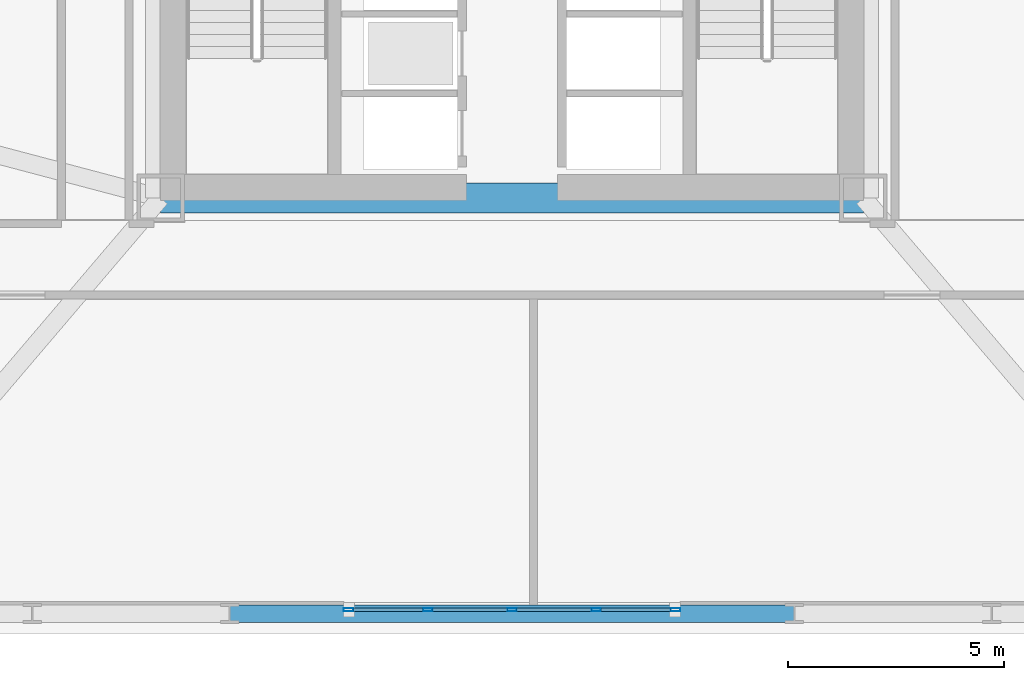
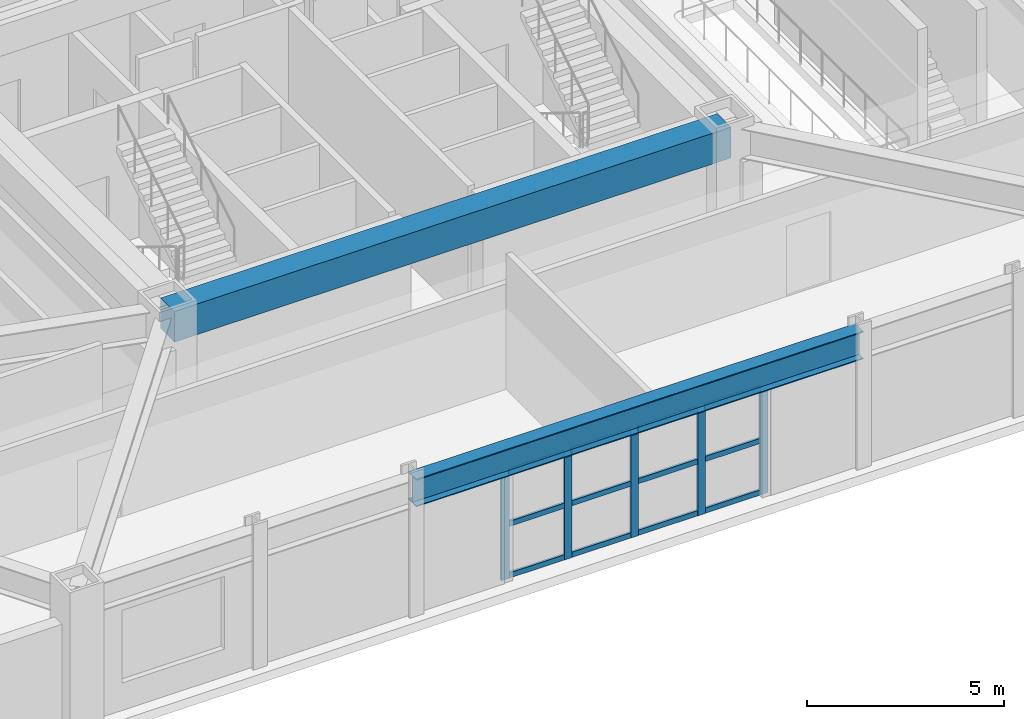
# One storey, part 8 of 21: 17 members, 2 beams, 1 element without a shape of its own.
"""IFC4 building model written with IfcOpenShell, lengths in metres."""

from ifc_helpers import new_model, si_unit, direction, frame, origin, origin_2d, place, context, subcontext, project, spatial, rectangle, hollow_rectangle, i_section, extrude, material, layer, layer_set, material_profile, profile_set, type_object, element, aggregate, save


model = new_model("IFC4")

# Units and contexts
model_context = context("Model", 3, precision=1e-05, world=origin(), true_north=direction((0.0, 1.0)))
body_context = subcontext(model_context, "Body", "Model", "MODEL_VIEW")
ifc_project = project(units=[si_unit("LENGTHUNIT", "METRE"), si_unit("AREAUNIT", "SQUARE_METRE"), si_unit("VOLUMEUNIT", "CUBIC_METRE"), si_unit("PLANEANGLEUNIT", "RADIAN"), si_unit("MASSUNIT", "GRAM", prefix="KILO")], contexts=[model_context])

# Site, building, storey
site_placement = place(None, origin())
site = spatial("IfcSite", under=ifc_project, at=site_placement, CompositionType="ELEMENT")
building_placement = place(site_placement, origin())
building = spatial("IfcBuilding", under=site, at=building_placement, Name="Oramaril Tower", CompositionType="ELEMENT")
storey_placement = place(building_placement, frame((0.0, 0.0, 5.39990234375)))
storey = spatial("IfcBuildingStorey", under=building, at=storey_placement, Name="L01", CompositionType="ELEMENT", Elevation=5.39990234375)

# Beams
ifc_material_1 = material(Name="Concrete C50/60", Category="concrete")
ifc_material_profile_1 = material_profile(ifc_material_1, rectangle(XDim=0.699951171875, YDim=0.949951171875, at=origin_2d()), Name="CB700X950")
ifc_profile_set_1 = profile_set([ifc_material_profile_1], Name="Concrete C50/60")
beam_type_1 = type_object("IfcBeamType", Name="BT-CB1", PredefinedType="BEAM", material=ifc_profile_set_1)
beam_1_placement = place(storey_placement, frame((29.35009765625, 11.0, 3.7451171875), z_axis=(1.0, 0.0, 0.0), x_axis=(0.0, 1.0, 0.0)))
element("IfcBeam", 1, at=beam_1_placement, inside=storey, type_object=beam_type_1, Name="L01 Core Header Beam CB-1", PredefinedType="BEAM", context=body_context, shape_type="SweptSolid", body=[
    extrude(rectangle(XDim=0.699951171875, YDim=0.949951171875, at=origin_2d()), origin(), (0.0, 0.0, 1.0), 16.2998046875),
])
ifc_material_2 = material(Name="Steel ASTM A572 Gr 50", Category="steel")
ifc_material_profile_2 = material_profile(ifc_material_2, i_section(OverallWidth=0.40087890625, OverallDepth=0.85595703125, WebThickness=0.018310546875, FlangeThickness=0.029296875, at=origin_2d()), Name="W33X201")
ifc_profile_set_2 = profile_set([ifc_material_profile_2], Name="Steel ASTM A572 Gr 50")
beam_type_2 = type_object("IfcBeamType", Name="BT-SP1", PredefinedType="SPANDREL", material=ifc_profile_set_2)
beam_2_placement = place(storey_placement, frame((30.955078125, 1.360107421875, 3.7919921875), z_axis=(1.0, 0.0, 0.0), x_axis=(0.0, 1.0, 0.0)))
element("IfcBeam", 2, at=beam_2_placement, inside=storey, type_object=beam_type_2, Name="L01 Perimeter Spandrel 04", PredefinedType="SPANDREL", context=body_context, shape_type="SweptSolid", body=[
    extrude(i_section(OverallWidth=0.40087890625, OverallDepth=0.85595703125, WebThickness=0.018310546875, FlangeThickness=0.029296875, at=origin_2d()), origin(), (0.0, 0.0, 1.0), 13.08984375),
])

# Curtain wall, members
ifc_material_3 = material(Name="Anodised Aluminium 6063-T6", Category="aluminium")
ifc_layer = layer(ifc_material_3, 0.219970703125)
ifc_layer_set = layer_set([ifc_layer], Name="CWT-SYS1")
curtain_wall_type = type_object("IfcCurtainWallType", Name="CWT-SYS1", PredefinedType="NOTDEFINED", material=ifc_layer_set)
curtain_wall_placement = place(storey_placement, origin())
curtain_wall = element("IfcCurtainWall", 3, at=curtain_wall_placement, inside=storey, type_object=curtain_wall_type, Name="L01 Unitised Curtain Wall CW-1", PredefinedType="NOTDEFINED")
ifc_material_4 = material(Name="Anodised Aluminium 6063-T6", Category="aluminium")
ifc_material_profile_3 = material_profile(ifc_material_4, hollow_rectangle(XDim=0.080078125, YDim=0.219970703125, WallThickness=0.00390625, at=origin_2d()), Name="CWM220X80")
ifc_profile_set_3 = profile_set([ifc_material_profile_3], Name="Anodised Aluminium 6063-T6")
member_type_1 = type_object("IfcMemberType", Name="MT-CWM1", PredefinedType="MULLION", material=ifc_profile_set_3)
member_1_placement = place(storey_placement, frame((33.7099609375, 1.449951171875, 0.0), z_axis=(0.0, 0.0, 1.0), x_axis=(0.0, 1.0, 0.0)))
member_1 = element("IfcMember", 4, at=member_1_placement, type_object=member_type_1, Name="CW-1 mullion 1", PredefinedType="MULLION", context=body_context, shape_type="SweptSolid", body=[
    extrude(hollow_rectangle(XDim=0.080078125, YDim=0.219970703125, WallThickness=0.00390625, at=origin_2d()), origin(), (0.0, 0.0, 1.0), 3.35400390625),
])
member_2_placement = place(storey_placement, frame((35.550048828125, 1.449951171875, 0.0), z_axis=(0.0, 0.0, 1.0), x_axis=(0.0, 1.0, 0.0)))
member_2 = element("IfcMember", 5, at=member_2_placement, type_object=member_type_1, Name="CW-1 mullion 2", PredefinedType="MULLION", context=body_context, shape_type="SweptSolid", body=[
    extrude(hollow_rectangle(XDim=0.080078125, YDim=0.219970703125, WallThickness=0.00390625, at=origin_2d()), origin(), (0.0, 0.0, 1.0), 3.35400390625),
])
member_3_placement = place(storey_placement, frame((37.5, 1.449951171875, 0.0), z_axis=(0.0, 0.0, 1.0), x_axis=(0.0, 1.0, 0.0)))
member_3 = element("IfcMember", 6, at=member_3_placement, type_object=member_type_1, Name="CW-1 mullion 3", PredefinedType="MULLION", context=body_context, shape_type="SweptSolid", body=[
    extrude(hollow_rectangle(XDim=0.080078125, YDim=0.219970703125, WallThickness=0.00390625, at=origin_2d()), origin(), (0.0, 0.0, 1.0), 3.35400390625),
])
member_4_placement = place(storey_placement, frame((39.449951171875, 1.449951171875, 0.0), z_axis=(0.0, 0.0, 1.0), x_axis=(0.0, 1.0, 0.0)))
member_4 = element("IfcMember", 7, at=member_4_placement, type_object=member_type_1, Name="CW-1 mullion 4", PredefinedType="MULLION", context=body_context, shape_type="SweptSolid", body=[
    extrude(hollow_rectangle(XDim=0.080078125, YDim=0.219970703125, WallThickness=0.00390625, at=origin_2d()), origin(), (0.0, 0.0, 1.0), 3.35400390625),
])
member_5_placement = place(storey_placement, frame((41.2900390625, 1.449951171875, 0.0), z_axis=(0.0, 0.0, 1.0), x_axis=(0.0, 1.0, 0.0)))
member_5 = element("IfcMember", 8, at=member_5_placement, type_object=member_type_1, Name="CW-1 mullion 5", PredefinedType="MULLION", context=body_context, shape_type="SweptSolid", body=[
    extrude(hollow_rectangle(XDim=0.080078125, YDim=0.219970703125, WallThickness=0.00390625, at=origin_2d()), origin(), (0.0, 0.0, 1.0), 3.35400390625),
])
ifc_material_5 = material(Name="Anodised Aluminium 6063-T6", Category="aluminium")
ifc_material_profile_4 = material_profile(ifc_material_5, hollow_rectangle(XDim=0.070068359375, YDim=0.159912109375, WallThickness=0.00390625, at=origin_2d()), Name="CWT160X70")
ifc_profile_set_4 = profile_set([ifc_material_profile_4], Name="Anodised Aluminium 6063-T6")
member_type_2 = type_object("IfcMemberType", Name="MT-CWT1", PredefinedType="USERDEFINED", material=ifc_profile_set_4)
member_6_placement = place(storey_placement, frame((33.820068359375, 1.449951171875, 0.080078125), z_axis=(1.0, 0.0, 0.0), x_axis=(0.0, 1.0, 0.0)))
member_6 = element("IfcMember", 9, at=member_6_placement, type_object=member_type_2, Name="CW-1 transom 1.1", ObjectType="TRANSOM", PredefinedType="USERDEFINED", context=body_context, shape_type="SweptSolid", body=[
    extrude(hollow_rectangle(XDim=0.070068359375, YDim=0.159912109375, WallThickness=0.00390625, at=origin_2d()), origin(), (0.0, 0.0, 1.0), 1.619873046875),
])
member_7_placement = place(storey_placement, frame((33.820068359375, 1.449951171875, 1.677001953125), z_axis=(1.0, 0.0, 0.0), x_axis=(0.0, 1.0, 0.0)))
member_7 = element("IfcMember", 10, at=member_7_placement, type_object=member_type_2, Name="CW-1 transom 1.2", ObjectType="TRANSOM", PredefinedType="USERDEFINED", context=body_context, shape_type="SweptSolid", body=[
    extrude(hollow_rectangle(XDim=0.070068359375, YDim=0.159912109375, WallThickness=0.00390625, at=origin_2d()), origin(), (0.0, 0.0, 1.0), 1.619873046875),
])
member_8_placement = place(storey_placement, frame((33.820068359375, 1.449951171875, 3.274169921875), z_axis=(1.0, 0.0, 0.0), x_axis=(0.0, 1.0, 0.0)))
member_8 = element("IfcMember", 11, at=member_8_placement, type_object=member_type_2, Name="CW-1 transom 1.3", ObjectType="TRANSOM", PredefinedType="USERDEFINED", context=body_context, shape_type="SweptSolid", body=[
    extrude(hollow_rectangle(XDim=0.070068359375, YDim=0.159912109375, WallThickness=0.00390625, at=origin_2d()), origin(), (0.0, 0.0, 1.0), 1.619873046875),
])
member_9_placement = place(storey_placement, frame((35.659912109375, 1.449951171875, 0.080078125), z_axis=(1.0, 0.0, 0.0), x_axis=(0.0, 1.0, 0.0)))
member_9 = element("IfcMember", 12, at=member_9_placement, type_object=member_type_2, Name="CW-1 transom 2.1", ObjectType="TRANSOM", PredefinedType="USERDEFINED", context=body_context, shape_type="SweptSolid", body=[
    extrude(hollow_rectangle(XDim=0.070068359375, YDim=0.159912109375, WallThickness=0.00390625, at=origin_2d()), origin(), (0.0, 0.0, 1.0), 1.72998046875),
])
member_10_placement = place(storey_placement, frame((35.659912109375, 1.449951171875, 1.677001953125), z_axis=(1.0, 0.0, 0.0), x_axis=(0.0, 1.0, 0.0)))
member_10 = element("IfcMember", 13, at=member_10_placement, type_object=member_type_2, Name="CW-1 transom 2.2", ObjectType="TRANSOM", PredefinedType="USERDEFINED", context=body_context, shape_type="SweptSolid", body=[
    extrude(hollow_rectangle(XDim=0.070068359375, YDim=0.159912109375, WallThickness=0.00390625, at=origin_2d()), origin(), (0.0, 0.0, 1.0), 1.72998046875),
])
member_11_placement = place(storey_placement, frame((35.659912109375, 1.449951171875, 3.274169921875), z_axis=(1.0, 0.0, 0.0), x_axis=(0.0, 1.0, 0.0)))
member_11 = element("IfcMember", 14, at=member_11_placement, type_object=member_type_2, Name="CW-1 transom 2.3", ObjectType="TRANSOM", PredefinedType="USERDEFINED", context=body_context, shape_type="SweptSolid", body=[
    extrude(hollow_rectangle(XDim=0.070068359375, YDim=0.159912109375, WallThickness=0.00390625, at=origin_2d()), origin(), (0.0, 0.0, 1.0), 1.72998046875),
])
member_12_placement = place(storey_placement, frame((37.610107421875, 1.449951171875, 0.080078125), z_axis=(1.0, 0.0, 0.0), x_axis=(0.0, 1.0, 0.0)))
member_12 = element("IfcMember", 15, at=member_12_placement, type_object=member_type_2, Name="CW-1 transom 3.1", ObjectType="TRANSOM", PredefinedType="USERDEFINED", context=body_context, shape_type="SweptSolid", body=[
    extrude(hollow_rectangle(XDim=0.070068359375, YDim=0.159912109375, WallThickness=0.00390625, at=origin_2d()), origin(), (0.0, 0.0, 1.0), 1.72998046875),
])
member_13_placement = place(storey_placement, frame((37.610107421875, 1.449951171875, 1.677001953125), z_axis=(1.0, 0.0, 0.0), x_axis=(0.0, 1.0, 0.0)))
member_13 = element("IfcMember", 16, at=member_13_placement, type_object=member_type_2, Name="CW-1 transom 3.2", ObjectType="TRANSOM", PredefinedType="USERDEFINED", context=body_context, shape_type="SweptSolid", body=[
    extrude(hollow_rectangle(XDim=0.070068359375, YDim=0.159912109375, WallThickness=0.00390625, at=origin_2d()), origin(), (0.0, 0.0, 1.0), 1.72998046875),
])
member_14_placement = place(storey_placement, frame((37.610107421875, 1.449951171875, 3.274169921875), z_axis=(1.0, 0.0, 0.0), x_axis=(0.0, 1.0, 0.0)))
member_14 = element("IfcMember", 17, at=member_14_placement, type_object=member_type_2, Name="CW-1 transom 3.3", ObjectType="TRANSOM", PredefinedType="USERDEFINED", context=body_context, shape_type="SweptSolid", body=[
    extrude(hollow_rectangle(XDim=0.070068359375, YDim=0.159912109375, WallThickness=0.00390625, at=origin_2d()), origin(), (0.0, 0.0, 1.0), 1.72998046875),
])
member_15_placement = place(storey_placement, frame((39.56005859375, 1.449951171875, 0.080078125), z_axis=(1.0, 0.0, 0.0), x_axis=(0.0, 1.0, 0.0)))
member_15 = element("IfcMember", 18, at=member_15_placement, type_object=member_type_2, Name="CW-1 transom 4.1", ObjectType="TRANSOM", PredefinedType="USERDEFINED", context=body_context, shape_type="SweptSolid", body=[
    extrude(hollow_rectangle(XDim=0.070068359375, YDim=0.159912109375, WallThickness=0.00390625, at=origin_2d()), origin(), (0.0, 0.0, 1.0), 1.619873046875),
])
member_16_placement = place(storey_placement, frame((39.56005859375, 1.449951171875, 1.677001953125), z_axis=(1.0, 0.0, 0.0), x_axis=(0.0, 1.0, 0.0)))
member_16 = element("IfcMember", 19, at=member_16_placement, type_object=member_type_2, Name="CW-1 transom 4.2", ObjectType="TRANSOM", PredefinedType="USERDEFINED", context=body_context, shape_type="SweptSolid", body=[
    extrude(hollow_rectangle(XDim=0.070068359375, YDim=0.159912109375, WallThickness=0.00390625, at=origin_2d()), origin(), (0.0, 0.0, 1.0), 1.619873046875),
])
member_17_placement = place(storey_placement, frame((39.56005859375, 1.449951171875, 3.274169921875), z_axis=(1.0, 0.0, 0.0), x_axis=(0.0, 1.0, 0.0)))
member_17 = element("IfcMember", 20, at=member_17_placement, type_object=member_type_2, Name="CW-1 transom 4.3", ObjectType="TRANSOM", PredefinedType="USERDEFINED", context=body_context, shape_type="SweptSolid", body=[
    extrude(hollow_rectangle(XDim=0.070068359375, YDim=0.159912109375, WallThickness=0.00390625, at=origin_2d()), origin(), (0.0, 0.0, 1.0), 1.619873046875),
])
aggregate(curtain_wall, [member_1, member_2, member_3, member_4, member_5, member_6, member_7, member_8, member_9, member_10, member_11, member_12, member_13, member_14, member_15, member_16, member_17])

save(model, "model.ifc")
